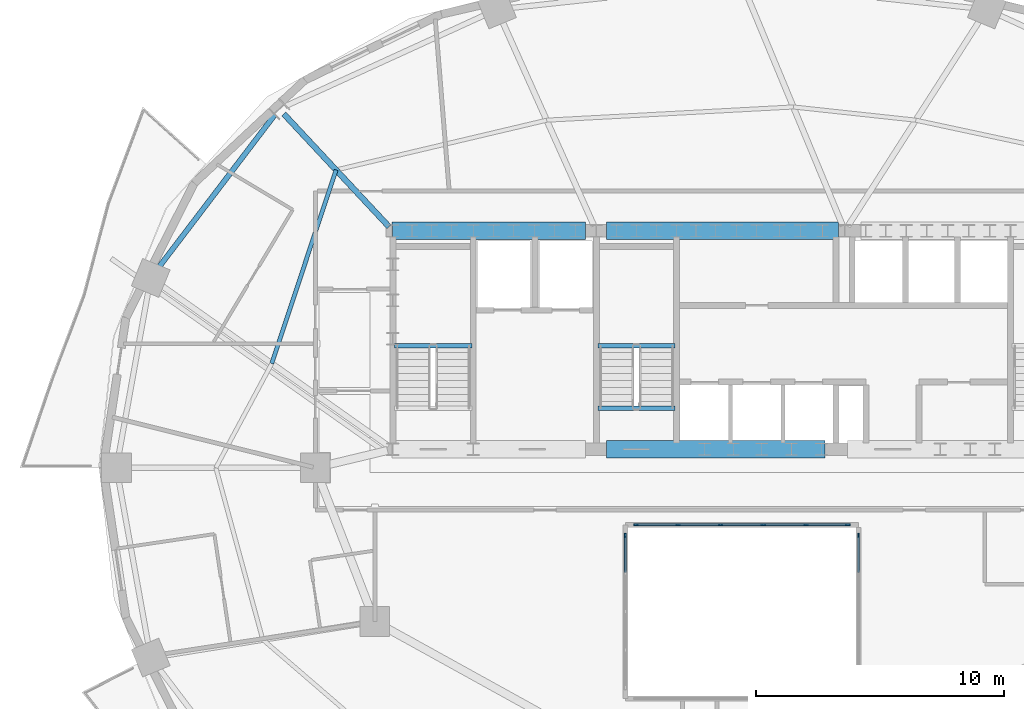
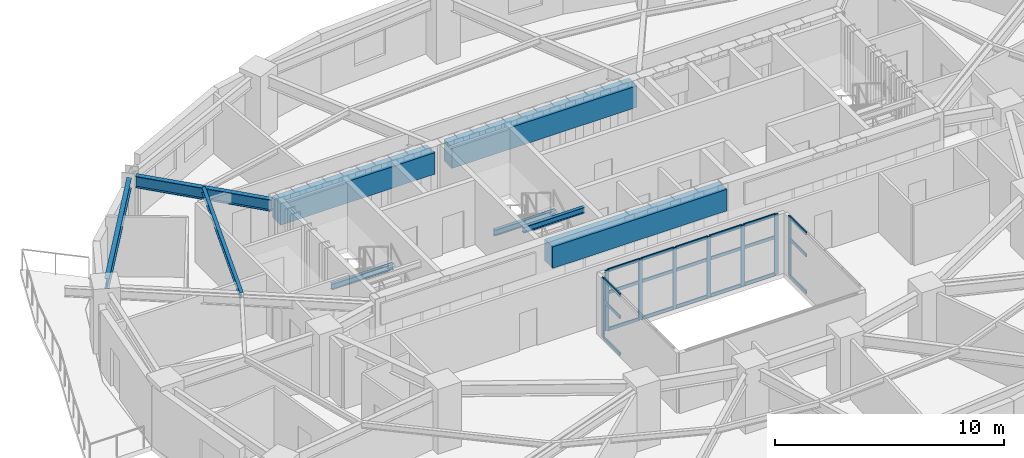
# One storey, part 3 of 12: 29 members, 9 beams, 3 elements without a shape of their own.
"""IFC4 building model written with IfcOpenShell, lengths in metres."""

from ifc_helpers import new_model, si_unit, direction, frame, origin, origin_2d, place, context, subcontext, project, spatial, rectangle, i_section, extrude, material, material_profile, profile_set, type_object, element, aggregate, save


model = new_model("IFC4")

# Units and contexts
model_context = context("Model", 3, precision=1e-05, world=origin(), true_north=direction((0.0, 1.0)))
body_context = subcontext(model_context, "Body", "Model", "MODEL_VIEW")
ifc_project = project(units=[si_unit("LENGTHUNIT", "METRE"), si_unit("AREAUNIT", "SQUARE_METRE"), si_unit("VOLUMEUNIT", "CUBIC_METRE"), si_unit("PLANEANGLEUNIT", "RADIAN"), si_unit("MASSUNIT", "GRAM", prefix="KILO")], contexts=[model_context])

# Site, building, storey
site_placement = place(None, origin())
site = spatial("IfcSite", under=ifc_project, at=site_placement, CompositionType="ELEMENT")
building_placement = place(site_placement, origin())
building = spatial("IfcBuilding", under=site, at=building_placement, Name="Haldorwick Loom Tower", CompositionType="ELEMENT")
storey_placement = place(building_placement, frame((0.0, 0.0, 161.35009765625)))
storey = spatial("IfcBuildingStorey", under=building, at=storey_placement, Name="L43", CompositionType="ELEMENT", Elevation=161.35009765625)

# Curtain wall, members
ifc_material_1 = material(Name="Thermally Broken Anodized Aluminium Curtain Wall Framing", Category="aluminium")
curtain_wall_type = type_object("IfcCurtainWallType", Name="ARC-CW-03", PredefinedType="NOTDEFINED", material=ifc_material_1)
curtain_wall_1_placement = place(storey_placement, origin())
curtain_wall_1 = element("IfcCurtainWall", 1, at=curtain_wall_1_placement, inside=storey, type_object=curtain_wall_type, Name="L43 Atrium Glazed Screen N", PredefinedType="NOTDEFINED")
ifc_material_profile_1 = material_profile(ifc_material_1, rectangle(XDim=0.06591796875, YDim=0.18505859375, at=origin_2d()), Name="ALU_MUL_66X185", Category="aluminium")
ifc_profile_set_1 = profile_set([ifc_material_profile_1], Name="Thermally Broken Anodized Aluminium Curtain Wall Framing")
member_type_1 = type_object("IfcMemberType", Name="ARC-CWM-03", PredefinedType="MULLION", material=ifc_profile_set_1)
member_1_placement = place(storey_placement, frame((31.73291015625, 23.699951171875, 0.0), z_axis=(0.0, 0.0, 1.0), x_axis=(0.0, 1.0, 0.0)))
member_1 = element("IfcMember", 2, at=member_1_placement, type_object=member_type_1, Name="CW-03 mullion 1", PredefinedType="MULLION", context=body_context, shape_type="SweptSolid", body=[
    extrude(rectangle(XDim=0.06591796875, YDim=0.18505859375, at=origin_2d()), origin(), (0.0, 0.0, 1.0), 3.2099609375),
])
member_2_placement = place(storey_placement, frame((33.419921875, 23.699951171875, 0.0), z_axis=(0.0, 0.0, 1.0), x_axis=(0.0, 1.0, 0.0)))
member_2 = element("IfcMember", 3, at=member_2_placement, type_object=member_type_1, Name="CW-03 mullion 2", PredefinedType="MULLION", context=body_context, shape_type="SweptSolid", body=[
    extrude(rectangle(XDim=0.06591796875, YDim=0.18505859375, at=origin_2d()), origin(), (0.0, 0.0, 1.0), 3.2099609375),
])
member_3_placement = place(storey_placement, frame((35.139892578125, 23.699951171875, 0.0), z_axis=(0.0, 0.0, 1.0), x_axis=(0.0, 1.0, 0.0)))
member_3 = element("IfcMember", 4, at=member_3_placement, type_object=member_type_1, Name="CW-03 mullion 3", PredefinedType="MULLION", context=body_context, shape_type="SweptSolid", body=[
    extrude(rectangle(XDim=0.06591796875, YDim=0.18505859375, at=origin_2d()), origin(), (0.0, 0.0, 1.0), 3.2099609375),
])
member_4_placement = place(storey_placement, frame((36.860107421875, 23.699951171875, 0.0), z_axis=(0.0, 0.0, 1.0), x_axis=(0.0, 1.0, 0.0)))
member_4 = element("IfcMember", 5, at=member_4_placement, type_object=member_type_1, Name="CW-03 mullion 4", PredefinedType="MULLION", context=body_context, shape_type="SweptSolid", body=[
    extrude(rectangle(XDim=0.06591796875, YDim=0.18505859375, at=origin_2d()), origin(), (0.0, 0.0, 1.0), 3.2099609375),
])
member_5_placement = place(storey_placement, frame((38.580078125, 23.699951171875, 0.0), z_axis=(0.0, 0.0, 1.0), x_axis=(0.0, 1.0, 0.0)))
member_5 = element("IfcMember", 6, at=member_5_placement, type_object=member_type_1, Name="CW-03 mullion 5", PredefinedType="MULLION", context=body_context, shape_type="SweptSolid", body=[
    extrude(rectangle(XDim=0.06591796875, YDim=0.18505859375, at=origin_2d()), origin(), (0.0, 0.0, 1.0), 3.2099609375),
])
member_6_placement = place(storey_placement, frame((40.26708984375, 23.699951171875, 0.0), z_axis=(0.0, 0.0, 1.0), x_axis=(0.0, 1.0, 0.0)))
member_6 = element("IfcMember", 7, at=member_6_placement, type_object=member_type_1, Name="CW-03 mullion 6", PredefinedType="MULLION", context=body_context, shape_type="SweptSolid", body=[
    extrude(rectangle(XDim=0.06591796875, YDim=0.18505859375, at=origin_2d()), origin(), (0.0, 0.0, 1.0), 3.2099609375),
])

# Curtain wall, member
curtain_wall_2_placement = place(storey_placement, origin())
curtain_wall_2 = element("IfcCurtainWall", 8, at=curtain_wall_2_placement, inside=storey, type_object=curtain_wall_type, Name="L43 Atrium Glazed Screen W", PredefinedType="NOTDEFINED")
member_7_placement = place(storey_placement, frame((31.300048828125, 23.26708984375, 0.0), z_axis=(0.0, 0.0, 1.0), x_axis=(-1.0, 0.0, 0.0)))
member_7 = element("IfcMember", 9, at=member_7_placement, type_object=member_type_1, Name="CW-03 mullion 5", PredefinedType="MULLION", context=body_context, shape_type="SweptSolid", body=[
    extrude(rectangle(XDim=0.06591796875, YDim=0.18505859375, at=origin_2d()), origin(), (0.0, 0.0, 1.0), 3.2099609375),
])

curtain_wall_3_placement = place(storey_placement, origin())
curtain_wall_3 = element("IfcCurtainWall", 10, at=curtain_wall_3_placement, inside=storey, type_object=curtain_wall_type, Name="L43 Atrium Glazed Screen E", PredefinedType="NOTDEFINED")
member_8_placement = place(storey_placement, frame((40.699951171875, 23.26708984375, 0.0), z_axis=(0.0, 0.0, 1.0), x_axis=(1.0, 0.0, 0.0)))
member_8 = element("IfcMember", 11, at=member_8_placement, type_object=member_type_1, Name="CW-03 mullion 1", PredefinedType="MULLION", context=body_context, shape_type="SweptSolid", body=[
    extrude(rectangle(XDim=0.06591796875, YDim=0.18505859375, at=origin_2d()), origin(), (0.0, 0.0, 1.0), 3.2099609375),
])

# Member
ifc_material_profile_2 = material_profile(ifc_material_1, rectangle(XDim=0.06591796875, YDim=0.1650390625, at=origin_2d()), Name="ALU_TRN_66X165", Category="aluminium")
ifc_profile_set_2 = profile_set([ifc_material_profile_2], Name="Thermally Broken Anodized Aluminium Curtain Wall Framing")
member_type_2 = type_object("IfcMemberType", Name="ARC-CWT-03", PredefinedType="USERDEFINED", material=ifc_profile_set_2)
member_9_placement = place(storey_placement, frame((31.76611328125, 23.699951171875, 0.032958984375), z_axis=(1.0, 0.0, 0.0), x_axis=(0.0, 1.0, 0.0)))
member_9 = element("IfcMember", 12, at=member_9_placement, type_object=member_type_2, Name="CW-03 transom 1.1", ObjectType="TRANSOM", PredefinedType="USERDEFINED", context=body_context, shape_type="SweptSolid", body=[
    extrude(rectangle(XDim=0.06591796875, YDim=0.1650390625, at=origin_2d()), origin(), (0.0, 0.0, 1.0), 1.620849609375),
])

member_10_placement = place(storey_placement, frame((31.76611328125, 23.699951171875, 2.0), z_axis=(1.0, 0.0, 0.0), x_axis=(0.0, 1.0, 0.0)))
member_10 = element("IfcMember", 13, at=member_10_placement, type_object=member_type_2, Name="CW-03 transom 1.2", ObjectType="TRANSOM", PredefinedType="USERDEFINED", context=body_context, shape_type="SweptSolid", body=[
    extrude(rectangle(XDim=0.06591796875, YDim=0.1650390625, at=origin_2d()), origin(), (0.0, 0.0, 1.0), 1.620849609375),
])

member_11_placement = place(storey_placement, frame((31.76611328125, 23.699951171875, 3.177001953125), z_axis=(1.0, 0.0, 0.0), x_axis=(0.0, 1.0, 0.0)))
member_11 = element("IfcMember", 14, at=member_11_placement, type_object=member_type_2, Name="CW-03 transom 1.3", ObjectType="TRANSOM", PredefinedType="USERDEFINED", context=body_context, shape_type="SweptSolid", body=[
    extrude(rectangle(XDim=0.06591796875, YDim=0.1650390625, at=origin_2d()), origin(), (0.0, 0.0, 1.0), 1.620849609375),
])

member_12_placement = place(storey_placement, frame((33.452880859375, 23.699951171875, 0.032958984375), z_axis=(1.0, 0.0, 0.0), x_axis=(0.0, 1.0, 0.0)))
member_12 = element("IfcMember", 15, at=member_12_placement, type_object=member_type_2, Name="CW-03 transom 2.1", ObjectType="TRANSOM", PredefinedType="USERDEFINED", context=body_context, shape_type="SweptSolid", body=[
    extrude(rectangle(XDim=0.06591796875, YDim=0.1650390625, at=origin_2d()), origin(), (0.0, 0.0, 1.0), 1.654052734375),
])

member_13_placement = place(storey_placement, frame((33.452880859375, 23.699951171875, 2.0), z_axis=(1.0, 0.0, 0.0), x_axis=(0.0, 1.0, 0.0)))
member_13 = element("IfcMember", 16, at=member_13_placement, type_object=member_type_2, Name="CW-03 transom 2.2", ObjectType="TRANSOM", PredefinedType="USERDEFINED", context=body_context, shape_type="SweptSolid", body=[
    extrude(rectangle(XDim=0.06591796875, YDim=0.1650390625, at=origin_2d()), origin(), (0.0, 0.0, 1.0), 1.654052734375),
])

member_14_placement = place(storey_placement, frame((33.452880859375, 23.699951171875, 3.177001953125), z_axis=(1.0, 0.0, 0.0), x_axis=(0.0, 1.0, 0.0)))
member_14 = element("IfcMember", 17, at=member_14_placement, type_object=member_type_2, Name="CW-03 transom 2.3", ObjectType="TRANSOM", PredefinedType="USERDEFINED", context=body_context, shape_type="SweptSolid", body=[
    extrude(rectangle(XDim=0.06591796875, YDim=0.1650390625, at=origin_2d()), origin(), (0.0, 0.0, 1.0), 1.654052734375),
])

member_15_placement = place(storey_placement, frame((35.173095703125, 23.699951171875, 0.032958984375), z_axis=(1.0, 0.0, 0.0), x_axis=(0.0, 1.0, 0.0)))
member_15 = element("IfcMember", 18, at=member_15_placement, type_object=member_type_2, Name="CW-03 transom 3.1", ObjectType="TRANSOM", PredefinedType="USERDEFINED", context=body_context, shape_type="SweptSolid", body=[
    extrude(rectangle(XDim=0.06591796875, YDim=0.1650390625, at=origin_2d()), origin(), (0.0, 0.0, 1.0), 1.65380859375),
])

member_16_placement = place(storey_placement, frame((35.173095703125, 23.699951171875, 2.0), z_axis=(1.0, 0.0, 0.0), x_axis=(0.0, 1.0, 0.0)))
member_16 = element("IfcMember", 19, at=member_16_placement, type_object=member_type_2, Name="CW-03 transom 3.2", ObjectType="TRANSOM", PredefinedType="USERDEFINED", context=body_context, shape_type="SweptSolid", body=[
    extrude(rectangle(XDim=0.06591796875, YDim=0.1650390625, at=origin_2d()), origin(), (0.0, 0.0, 1.0), 1.65380859375),
])

member_17_placement = place(storey_placement, frame((35.173095703125, 23.699951171875, 3.177001953125), z_axis=(1.0, 0.0, 0.0), x_axis=(0.0, 1.0, 0.0)))
member_17 = element("IfcMember", 20, at=member_17_placement, type_object=member_type_2, Name="CW-03 transom 3.3", ObjectType="TRANSOM", PredefinedType="USERDEFINED", context=body_context, shape_type="SweptSolid", body=[
    extrude(rectangle(XDim=0.06591796875, YDim=0.1650390625, at=origin_2d()), origin(), (0.0, 0.0, 1.0), 1.65380859375),
])

member_18_placement = place(storey_placement, frame((36.89306640625, 23.699951171875, 0.032958984375), z_axis=(1.0, 0.0, 0.0), x_axis=(0.0, 1.0, 0.0)))
member_18 = element("IfcMember", 21, at=member_18_placement, type_object=member_type_2, Name="CW-03 transom 4.1", ObjectType="TRANSOM", PredefinedType="USERDEFINED", context=body_context, shape_type="SweptSolid", body=[
    extrude(rectangle(XDim=0.06591796875, YDim=0.1650390625, at=origin_2d()), origin(), (0.0, 0.0, 1.0), 1.654052734375),
])

member_19_placement = place(storey_placement, frame((36.89306640625, 23.699951171875, 2.0), z_axis=(1.0, 0.0, 0.0), x_axis=(0.0, 1.0, 0.0)))
member_19 = element("IfcMember", 22, at=member_19_placement, type_object=member_type_2, Name="CW-03 transom 4.2", ObjectType="TRANSOM", PredefinedType="USERDEFINED", context=body_context, shape_type="SweptSolid", body=[
    extrude(rectangle(XDim=0.06591796875, YDim=0.1650390625, at=origin_2d()), origin(), (0.0, 0.0, 1.0), 1.654052734375),
])

member_20_placement = place(storey_placement, frame((36.89306640625, 23.699951171875, 3.177001953125), z_axis=(1.0, 0.0, 0.0), x_axis=(0.0, 1.0, 0.0)))
member_20 = element("IfcMember", 23, at=member_20_placement, type_object=member_type_2, Name="CW-03 transom 4.3", ObjectType="TRANSOM", PredefinedType="USERDEFINED", context=body_context, shape_type="SweptSolid", body=[
    extrude(rectangle(XDim=0.06591796875, YDim=0.1650390625, at=origin_2d()), origin(), (0.0, 0.0, 1.0), 1.654052734375),
])

member_21_placement = place(storey_placement, frame((38.613037109375, 23.699951171875, 0.032958984375), z_axis=(1.0, 0.0, 0.0), x_axis=(0.0, 1.0, 0.0)))
member_21 = element("IfcMember", 24, at=member_21_placement, type_object=member_type_2, Name="CW-03 transom 5.1", ObjectType="TRANSOM", PredefinedType="USERDEFINED", context=body_context, shape_type="SweptSolid", body=[
    extrude(rectangle(XDim=0.06591796875, YDim=0.1650390625, at=origin_2d()), origin(), (0.0, 0.0, 1.0), 1.620849609375),
])

member_22_placement = place(storey_placement, frame((38.613037109375, 23.699951171875, 2.0), z_axis=(1.0, 0.0, 0.0), x_axis=(0.0, 1.0, 0.0)))
member_22 = element("IfcMember", 25, at=member_22_placement, type_object=member_type_2, Name="CW-03 transom 5.2", ObjectType="TRANSOM", PredefinedType="USERDEFINED", context=body_context, shape_type="SweptSolid", body=[
    extrude(rectangle(XDim=0.06591796875, YDim=0.1650390625, at=origin_2d()), origin(), (0.0, 0.0, 1.0), 1.620849609375),
])

member_23_placement = place(storey_placement, frame((38.613037109375, 23.699951171875, 3.177001953125), z_axis=(1.0, 0.0, 0.0), x_axis=(0.0, 1.0, 0.0)))
member_23 = element("IfcMember", 26, at=member_23_placement, type_object=member_type_2, Name="CW-03 transom 5.3", ObjectType="TRANSOM", PredefinedType="USERDEFINED", context=body_context, shape_type="SweptSolid", body=[
    extrude(rectangle(XDim=0.06591796875, YDim=0.1650390625, at=origin_2d()), origin(), (0.0, 0.0, 1.0), 1.620849609375),
])

aggregate(curtain_wall_1, [member_1, member_2, member_3, member_4, member_5, member_6, member_9, member_10, member_11, member_12, member_13, member_14, member_15, member_16, member_17, member_18, member_19, member_20, member_21, member_22, member_23])

member_24_placement = place(storey_placement, frame((31.300048828125, 21.782958984375, 0.032958984375), z_axis=(0.0, 1.0, 0.0), x_axis=(-1.0, 0.0, 0.0)))
member_24 = element("IfcMember", 27, at=member_24_placement, type_object=member_type_2, Name="CW-03 transom 4.1", ObjectType="TRANSOM", PredefinedType="USERDEFINED", context=body_context, shape_type="SweptSolid", body=[
    extrude(rectangle(XDim=0.06591796875, YDim=0.1650390625, at=origin_2d()), origin(), (0.0, 0.0, 1.0), 1.450927734375),
])

member_25_placement = place(storey_placement, frame((31.300048828125, 21.782958984375, 2.0), z_axis=(0.0, 1.0, 0.0), x_axis=(-1.0, 0.0, 0.0)))
member_25 = element("IfcMember", 28, at=member_25_placement, type_object=member_type_2, Name="CW-03 transom 4.2", ObjectType="TRANSOM", PredefinedType="USERDEFINED", context=body_context, shape_type="SweptSolid", body=[
    extrude(rectangle(XDim=0.06591796875, YDim=0.1650390625, at=origin_2d()), origin(), (0.0, 0.0, 1.0), 1.450927734375),
])

member_26_placement = place(storey_placement, frame((31.300048828125, 21.782958984375, 3.177001953125), z_axis=(0.0, 1.0, 0.0), x_axis=(-1.0, 0.0, 0.0)))
member_26 = element("IfcMember", 29, at=member_26_placement, type_object=member_type_2, Name="CW-03 transom 4.3", ObjectType="TRANSOM", PredefinedType="USERDEFINED", context=body_context, shape_type="SweptSolid", body=[
    extrude(rectangle(XDim=0.06591796875, YDim=0.1650390625, at=origin_2d()), origin(), (0.0, 0.0, 1.0), 1.450927734375),
])

aggregate(curtain_wall_2, [member_7, member_24, member_25, member_26])

member_27_placement = place(storey_placement, frame((40.699951171875, 23.23388671875, 0.032958984375), z_axis=(0.0, -1.0, 0.0), x_axis=(1.0, 0.0, 0.0)))
member_27 = element("IfcMember", 30, at=member_27_placement, type_object=member_type_2, Name="CW-03 transom 1.1", ObjectType="TRANSOM", PredefinedType="USERDEFINED", context=body_context, shape_type="SweptSolid", body=[
    extrude(rectangle(XDim=0.06591796875, YDim=0.1650390625, at=origin_2d()), origin(), (0.0, 0.0, 1.0), 1.450927734375),
])

member_28_placement = place(storey_placement, frame((40.699951171875, 23.23388671875, 2.0), z_axis=(0.0, -1.0, 0.0), x_axis=(1.0, 0.0, 0.0)))
member_28 = element("IfcMember", 31, at=member_28_placement, type_object=member_type_2, Name="CW-03 transom 1.2", ObjectType="TRANSOM", PredefinedType="USERDEFINED", context=body_context, shape_type="SweptSolid", body=[
    extrude(rectangle(XDim=0.06591796875, YDim=0.1650390625, at=origin_2d()), origin(), (0.0, 0.0, 1.0), 1.450927734375),
])

member_29_placement = place(storey_placement, frame((40.699951171875, 23.23388671875, 3.177001953125), z_axis=(0.0, -1.0, 0.0), x_axis=(1.0, 0.0, 0.0)))
member_29 = element("IfcMember", 32, at=member_29_placement, type_object=member_type_2, Name="CW-03 transom 1.3", ObjectType="TRANSOM", PredefinedType="USERDEFINED", context=body_context, shape_type="SweptSolid", body=[
    extrude(rectangle(XDim=0.06591796875, YDim=0.1650390625, at=origin_2d()), origin(), (0.0, 0.0, 1.0), 1.450927734375),
])

aggregate(curtain_wall_3, [member_8, member_27, member_28, member_29])

# Beams
ifc_material_2 = material(Name="Concrete C60 (60 MPa)", Category="concrete")
ifc_material_profile_3 = material_profile(ifc_material_2, rectangle(XDim=0.699951171875, YDim=1.14990234375, at=origin_2d()), Name="RC700X1150", Category="concrete")
ifc_profile_set_3 = profile_set([ifc_material_profile_3], Name="Concrete C60 (60 MPa)")
beam_type_1 = type_object("IfcBeamType", Name="STR-BM-CB1150", PredefinedType="LINTEL", material=ifc_profile_set_3)
beam_1_placement = place(storey_placement, frame((21.89990234375, 35.550048828125, 2.635009765625), z_axis=(1.0, 0.0, 0.0), x_axis=(0.0, 1.0, 0.0)))
element("IfcBeam", 33, at=beam_1_placement, inside=storey, type_object=beam_type_1, Name="L43 Core Coupling Beam CB-N1", PredefinedType="LINTEL", context=body_context, shape_type="SweptSolid", body=[
    extrude(rectangle(XDim=0.699951171875, YDim=1.14990234375, at=origin_2d()), origin(), (0.0, 0.0, 1.0), 7.800048828125),
])
beam_2_placement = place(storey_placement, frame((30.550048828125, 35.550048828125, 2.635009765625), z_axis=(1.0, 0.0, 0.0), x_axis=(0.0, 1.0, 0.0)))
element("IfcBeam", 34, at=beam_2_placement, inside=storey, type_object=beam_type_1, Name="L43 Core Coupling Beam CB-N2", PredefinedType="LINTEL", context=body_context, shape_type="SweptSolid", body=[
    extrude(rectangle(XDim=0.699951171875, YDim=1.14990234375, at=origin_2d()), origin(), (0.0, 0.0, 1.0), 9.349853515625),
])
beam_3_placement = place(storey_placement, frame((30.550048828125, 26.75, 2.635009765625), z_axis=(1.0, 0.0, 0.0), x_axis=(0.0, 1.0, 0.0)))
element("IfcBeam", 35, at=beam_3_placement, inside=storey, type_object=beam_type_1, Name="L43 Core Coupling Beam CB-S2", PredefinedType="LINTEL", context=body_context, shape_type="SweptSolid", body=[
    extrude(rectangle(XDim=0.699951171875, YDim=1.14990234375, at=origin_2d()), origin(), (0.0, 0.0, 1.0), 8.800048828125),
])
ifc_material_3 = material(Name="Steel CSA G40.21 350W", Category="steel")
ifc_material_profile_4 = material_profile(ifc_material_3, i_section(OverallWidth=0.166015625, OverallDepth=0.31298828125, WebThickness=0.006591796875, FlangeThickness=0.01123046875, at=origin_2d()), Name="W310X45", Category="steel")
ifc_profile_set_4 = profile_set([ifc_material_profile_4], Name="Steel CSA G40.21 350W")
beam_type_2 = type_object("IfcBeamType", Name="STR-BM-J310", PredefinedType="JOIST", material=ifc_profile_set_4)
beam_4_placement = place(storey_placement, frame((19.63720703125, 38.007080078125, 3.053466796875), z_axis=(-0.314980632705, -0.949098098734, 0.0), x_axis=(0.949098098734, -0.314980632705, 0.0)))
element("IfcBeam", 36, at=beam_4_placement, inside=storey, type_object=beam_type_2, Name="L43 Mid-Bay Secondary Joist 7", PredefinedType="JOIST", context=body_context, shape_type="SweptSolid", body=[
    extrude(i_section(OverallWidth=0.166015625, OverallDepth=0.31298828125, WebThickness=0.006591796875, FlangeThickness=0.01123046875, at=origin_2d()), origin(), (0.0, 0.0, 1.0), 8.223876953125),
])
ifc_material_profile_5 = material_profile(ifc_material_3, i_section(OverallWidth=0.2119140625, OverallDepth=0.5439453125, WebThickness=0.01318359375, FlangeThickness=0.021240234375, at=origin_2d()), Name="W530X123", Category="steel")
ifc_profile_set_5 = profile_set([ifc_material_profile_5], Name="Steel CSA G40.21 350W")
beam_type_3 = type_object("IfcBeamType", Name="STR-BM-SP530", PredefinedType="SPANDREL", material=ifc_profile_set_5)
beam_5_placement = place(storey_placement, frame((17.177978515625, 40.245361328125, 2.93798828125), z_axis=(-0.605421356486, -0.795905133236, 0.0), x_axis=(0.795905133236, -0.605421356486, 0.0)))
element("IfcBeam", 37, at=beam_5_placement, inside=storey, type_object=beam_type_3, Name="L43 Perimeter Spandrel 7", PredefinedType="SPANDREL", context=body_context, shape_type="SweptSolid", body=[
    extrude(i_section(OverallWidth=0.2119140625, OverallDepth=0.5439453125, WebThickness=0.01318359375, FlangeThickness=0.021240234375, at=origin_2d()), origin(), (0.0, 0.0, 1.0), 7.761962890625),
])
ifc_material_profile_6 = material_profile(ifc_material_3, i_section(OverallWidth=0.166015625, OverallDepth=0.31298828125, WebThickness=0.006591796875, FlangeThickness=0.01123046875, at=origin_2d()), Name="W310X45", Category="steel")
ifc_profile_set_6 = profile_set([ifc_material_profile_6], Name="Steel CSA G40.21 350W")
beam_type_4 = type_object("IfcBeamType", Name="STR-BM-STRM", PredefinedType="BEAM", material=ifc_profile_set_6)
for number, where, z_axis, x_axis, name in (
    (38, (21.989990234375, 30.919921875, 1.368408203125), (1.0, 0.0, 0.0), (0.0, 1.0, 0.0), "L43 Stair ST-01 Half-Landing Trimmer 1"),
    (39, (30.18994140625, 28.39990234375, 3.053466796875), (1.0, 0.0, 0.0), (0.0, 1.0, 0.0), "L43 Stair ST-03 Landing Edge Trimmer"),
    (40, (30.18994140625, 30.919921875, 1.368408203125), (1.0, 0.0, 0.0), (0.0, 1.0, 0.0), "L43 Stair ST-03 Half-Landing Trimmer 1"),
):
    element("IfcBeam", number, at=place(storey_placement, frame(where, z_axis=z_axis, x_axis=x_axis)), inside=storey, type_object=beam_type_4, Name=name, PredefinedType="BEAM", context=body_context, shape_type="SweptSolid", body=[
        extrude(i_section(OverallWidth=0.166015625, OverallDepth=0.31298828125, WebThickness=0.006591796875, FlangeThickness=0.01123046875, at=origin_2d()), origin(), (0.0, 0.0, 1.0), 3.1201171875),
    ])
ifc_material_profile_7 = material_profile(ifc_material_3, i_section(OverallWidth=0.22998046875, OverallDepth=0.616943359375, WebThickness=0.01318359375, FlangeThickness=0.022216796875, at=origin_2d()), Name="W610X140", Category="steel")
ifc_profile_set_7 = profile_set([ifc_material_profile_7], Name="Steel CSA G40.21 350W")
beam_type_5 = type_object("IfcBeamType", Name="STR-BM-W610B", PredefinedType="BEAM", material=ifc_profile_set_7)
beam_6_placement = place(storey_placement, frame((21.776611328125, 35.714599609375, 2.9013671875), z_axis=(-0.682256728841, 0.731112683484, 0.0), x_axis=(-0.731112683484, -0.682256728841, 0.0)))
element("IfcBeam", 41, at=beam_6_placement, inside=storey, type_object=beam_type_5, Name="L43 Radial Floor Girder 7", PredefinedType="BEAM", context=body_context, shape_type="SweptSolid", body=[
    extrude(i_section(OverallWidth=0.22998046875, OverallDepth=0.616943359375, WebThickness=0.01318359375, FlangeThickness=0.022216796875, at=origin_2d()), origin(), (0.0, 0.0, 1.0), 6.221435546875),
])

save(model, "model.ifc")
